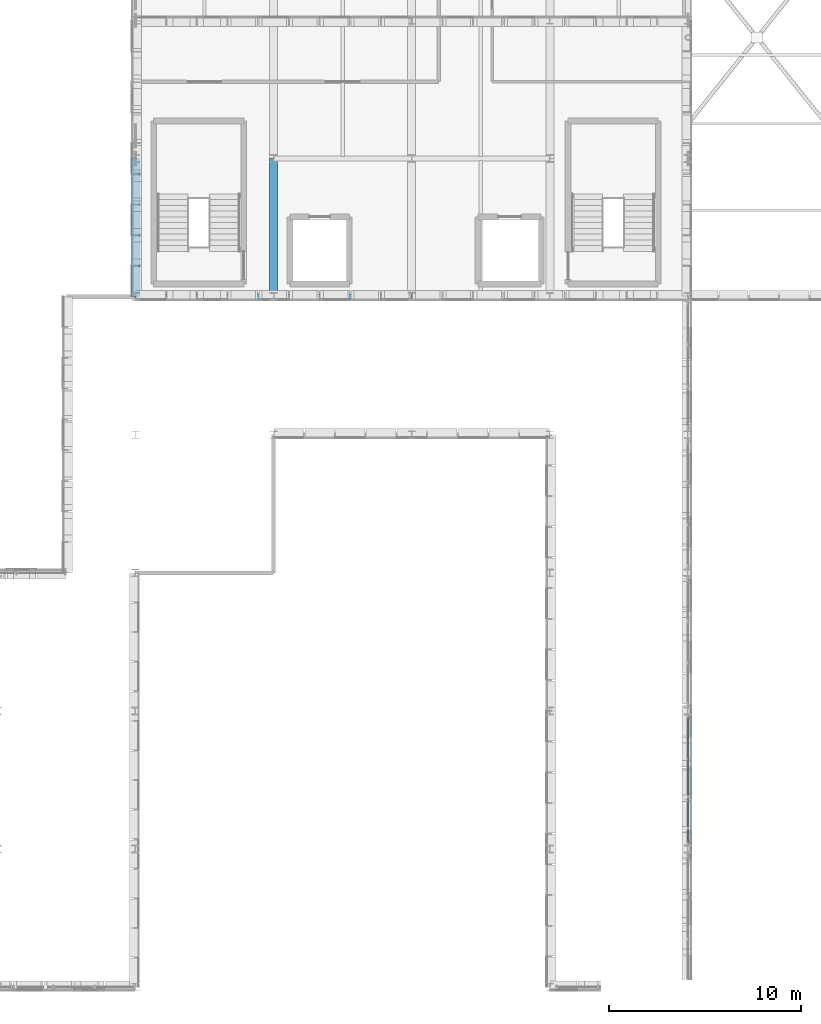
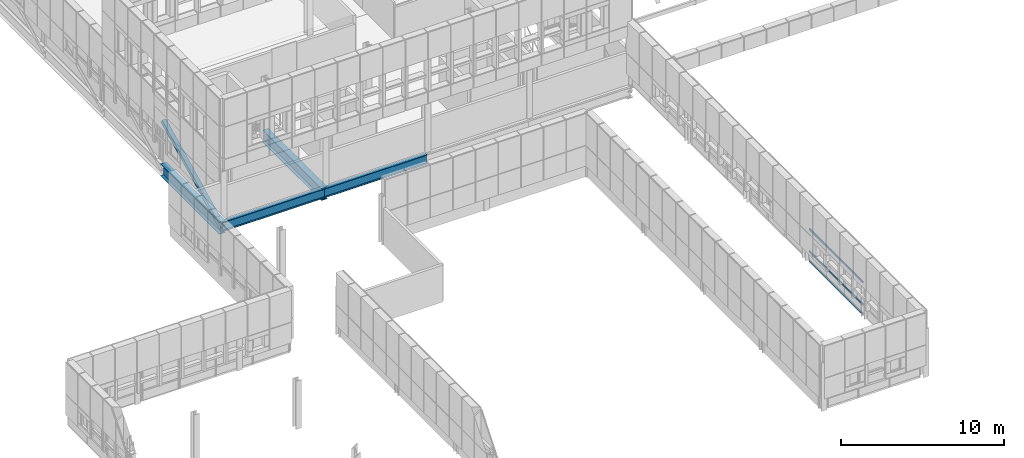
# One storey, part 16 of 96: 4 beams, 4 members, 1 element without a shape of its own.
"""IFC4 building model written with IfcOpenShell, lengths in metres."""

from ifc_helpers import new_model, si_unit, direction, frame, origin, origin_2d, place, context, subcontext, project, spatial, hollow_rectangle, i_section, extrude, material, material_profile, profile_set, type_object, element, aggregate, save


model = new_model("IFC4")

# Units and contexts
model_context = context("Model", 3, precision=1e-05, world=origin(), true_north=direction((0.0, 1.0)))
body_context = subcontext(model_context, "Body", "Model", "MODEL_VIEW")
ifc_project = project(units=[si_unit("LENGTHUNIT", "METRE"), si_unit("AREAUNIT", "SQUARE_METRE"), si_unit("VOLUMEUNIT", "CUBIC_METRE"), si_unit("PLANEANGLEUNIT", "RADIAN"), si_unit("MASSUNIT", "GRAM", prefix="KILO")], contexts=[model_context])

# Site, building, storey
site_placement = place(None, origin())
site = spatial("IfcSite", under=ifc_project, at=site_placement, CompositionType="ELEMENT")
building_placement = place(site_placement, origin())
building = spatial("IfcBuilding", under=site, at=building_placement, Name="Yarey Park Central Fire Station", CompositionType="ELEMENT")
storey_placement = place(building_placement, frame((0.0, 0.0, 14.39990234375)))
storey = spatial("IfcBuildingStorey", under=building, at=storey_placement, Name="L04", CompositionType="ELEMENT", Elevation=14.39990234375)

# Curtain wall, members
ifc_material_1 = material(Name="Anodized Aluminium Frame", Category="aluminium")
curtain_wall_type = type_object("IfcCurtainWallType", Name="ENV_CW_V3_OVR2", PredefinedType="NOTDEFINED", material=ifc_material_1)
curtain_wall_placement = place(storey_placement, origin())
curtain_wall = element("IfcCurtainWall", 1, at=curtain_wall_placement, inside=storey, type_object=curtain_wall_type, Name="CW_L04_V1_E_075", PredefinedType="NOTDEFINED")
ifc_material_profile_1 = material_profile(ifc_material_1, hollow_rectangle(XDim=0.070068359375, YDim=0.139892578125, WallThickness=0.00390625, at=origin_2d()), Name="ALU 140x70x4")
ifc_profile_set_1 = profile_set([ifc_material_profile_1], Name="Anodized Aluminium Frame")
member_type_1 = type_object("IfcMemberType", Name="ENV_CW_TRANSOM", PredefinedType="USERDEFINED", material=ifc_profile_set_1)
member_1_placement = place(storey_placement, frame((57.60009765625, 29.125, 0.025146484375), z_axis=(0.0, 1.0, 0.0), x_axis=(-1.0, 0.0, 0.0)))
member_1 = element("IfcMember", 2, at=member_1_placement, type_object=member_type_1, Name="CW_L04_V1_E_075_TRN1", ObjectType="TRANSOM", PredefinedType="USERDEFINED", context=body_context, shape_type="SweptSolid", body=[
    extrude(hollow_rectangle(XDim=0.070068359375, YDim=0.139892578125, WallThickness=0.00390625, at=origin_2d()), origin(), (0.0, 0.0, 1.0), 6.550048828125),
])
member_2_placement = place(storey_placement, frame((57.60009765625, 29.125, 0.72607421875), z_axis=(0.0, 1.0, 0.0), x_axis=(-1.0, 0.0, 0.0)))
member_2 = element("IfcMember", 3, at=member_2_placement, type_object=member_type_1, Name="CW_L04_V1_E_075_TRN2", ObjectType="TRANSOM", PredefinedType="USERDEFINED", context=body_context, shape_type="SweptSolid", body=[
    extrude(hollow_rectangle(XDim=0.070068359375, YDim=0.139892578125, WallThickness=0.00390625, at=origin_2d()), origin(), (0.0, 0.0, 1.0), 6.550048828125),
])
member_3_placement = place(storey_placement, frame((57.60009765625, 29.125, 2.39501953125), z_axis=(0.0, 1.0, 0.0), x_axis=(-1.0, 0.0, 0.0)))
member_3 = element("IfcMember", 4, at=member_3_placement, type_object=member_type_1, Name="CW_L04_V1_E_075_TRN3", ObjectType="TRANSOM", PredefinedType="USERDEFINED", context=body_context, shape_type="SweptSolid", body=[
    extrude(hollow_rectangle(XDim=0.070068359375, YDim=0.139892578125, WallThickness=0.00390625, at=origin_2d()), origin(), (0.0, 0.0, 1.0), 6.550048828125),
])
aggregate(curtain_wall, [member_1, member_2, member_3])

# Beams
ifc_material_2 = material(Name="Steel ASTM A992 Gr. 50", Category="steel")
ifc_material_profile_2 = material_profile(ifc_material_2, i_section(OverallWidth=0.256103515625, OverallDepth=0.693115234375, WebThickness=0.014404296875, FlangeThickness=0.023681640625, at=origin_2d()), Name="W690x170")
ifc_profile_set_2 = profile_set([ifc_material_profile_2], Name="Steel ASTM A992 Gr. 50")
beam_type_1 = type_object("IfcBeamType", Name="STR_BM_W690", PredefinedType="BEAM", material=ifc_profile_set_2)
for number, where, z_axis, x_axis, name in (
    (5, (28.800048828125, 57.60009765625, -0.596435546875), (1.0, 0.0, 0.0), (0.0, 1.0, 0.0), "BMX L04 Y576 X288"),
    (6, (36.0, 57.60009765625, -0.596435546875), (1.0, 0.0, 0.0), (0.0, 1.0, 0.0), "BMX L04 Y576 X360"),
):
    element("IfcBeam", number, at=place(storey_placement, frame(where, z_axis=z_axis, x_axis=x_axis)), inside=storey, type_object=beam_type_1, Name=name, PredefinedType="BEAM", context=body_context, shape_type="SweptSolid", body=[
        extrude(i_section(OverallWidth=0.256103515625, OverallDepth=0.693115234375, WebThickness=0.014404296875, FlangeThickness=0.023681640625, at=origin_2d()), origin(), (0.0, 0.0, 1.0), 7.199951171875),
    ])
ifc_material_profile_3 = material_profile(ifc_material_2, i_section(OverallWidth=0.41796875, OverallDepth=0.912109375, WebThickness=0.019287109375, FlangeThickness=0.031982421875, at=origin_2d()), Name="W920x342")
ifc_profile_set_3 = profile_set([ifc_material_profile_3], Name="Steel ASTM A992 Gr. 50")
beam_type_2 = type_object("IfcBeamType", Name="STR_BM_W920", PredefinedType="BEAM", material=ifc_profile_set_3)
beam_1_placement = place(storey_placement, frame((36.0, 57.60009765625, -0.705810546875), z_axis=(0.0, 1.0, 0.0), x_axis=(-1.0, 0.0, 0.0)))
element("IfcBeam", 7, at=beam_1_placement, inside=storey, type_object=beam_type_2, Name="Transfer Truss TT2 L04 CH1", PredefinedType="BEAM", context=body_context, shape_type="SweptSolid", body=[
    extrude(i_section(OverallWidth=0.41796875, OverallDepth=0.912109375, WebThickness=0.019287109375, FlangeThickness=0.031982421875, at=origin_2d()), origin(), (0.0, 0.0, 1.0), 7.199951171875),
])
ifc_material_profile_4 = material_profile(ifc_material_2, i_section(OverallWidth=0.41796875, OverallDepth=0.912109375, WebThickness=0.019287109375, FlangeThickness=0.031982421875, at=origin_2d()), Name="W920x342")
ifc_profile_set_4 = profile_set([ifc_material_profile_4], Name="Steel ASTM A992 Gr. 50")
beam_type_3 = type_object("IfcBeamType", Name="STR_BM_W920E", PredefinedType="BEAM", material=ifc_profile_set_4)
beam_2_placement = place(storey_placement, frame((28.800048828125, 57.60009765625, -0.705810546875), z_axis=(0.0, 1.0, 0.0), x_axis=(-1.0, 0.0, 0.0)))
element("IfcBeam", 8, at=beam_2_placement, inside=storey, type_object=beam_type_3, Name="Transfer Truss TT1 L04 CH1", PredefinedType="BEAM", context=body_context, shape_type="SweptSolid", body=[
    extrude(i_section(OverallWidth=0.41796875, OverallDepth=0.912109375, WebThickness=0.019287109375, FlangeThickness=0.031982421875, at=origin_2d()), origin(), (0.0, 0.0, 1.0), 7.199951171875),
])

# Member
ifc_material_3 = material(Name="Steel ASTM A500 Gr. C", Category="steel")
ifc_material_profile_5 = material_profile(ifc_material_3, hollow_rectangle(XDim=0.300048828125, YDim=0.300048828125, WallThickness=0.01611328125, at=origin_2d()), Name="HSS 300x300x16")
ifc_profile_set_5 = profile_set([ifc_material_profile_5], Name="Steel ASTM A500 Gr. C")
member_type_2 = type_object("IfcMemberType", Name="STR_PRATT_HSS300E", PredefinedType="BRACE", material=ifc_profile_set_5)
member_4_placement = place(storey_placement, frame((28.800048828125, 57.60009765625, -0.699951171875), z_axis=(0.0, 0.894421125195, 0.447225726904), x_axis=(-1.0, 0.0, 0.0)))
element("IfcMember", 9, at=member_4_placement, inside=storey, type_object=member_type_2, Name="TT1_L04_DIAG1", PredefinedType="BRACE", context=body_context, shape_type="SweptSolid", body=[
    extrude(hollow_rectangle(XDim=0.300048828125, YDim=0.300048828125, WallThickness=0.01611328125, at=origin_2d()), origin(), (0.0, 0.0, 1.0), 8.0498046875),
])

save(model, "model.ifc")
